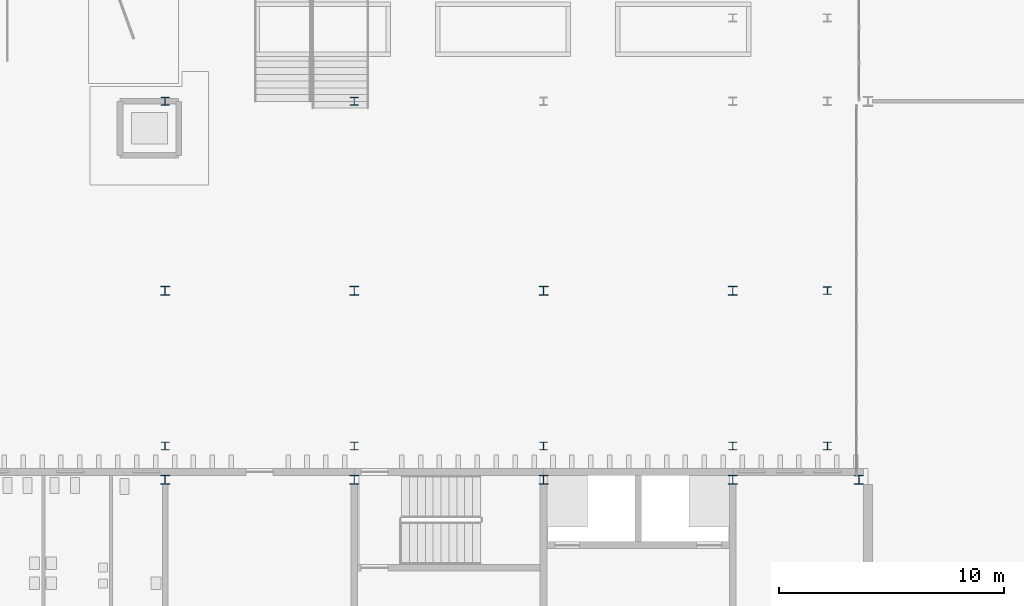
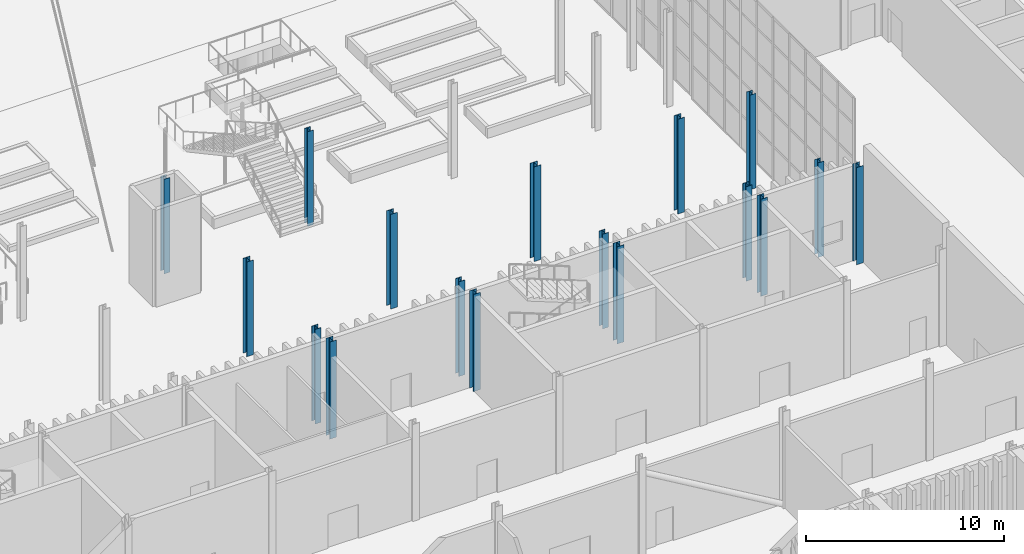
# One storey, part 29 of 108: 17 columns.
"""IFC4 building model written with IfcOpenShell, lengths in metres."""

from ifc_helpers import new_model, si_unit, direction, frame, origin, origin_2d, place, context, subcontext, project, spatial, i_section, extrude, material, material_profile, profile_set, type_object, element, save


model = new_model("IFC4")

# Units and contexts
model_context = context("Model", 3, precision=1e-05, world=origin(), true_north=direction((0.0, 1.0)))
body_context = subcontext(model_context, "Body", "Model", "MODEL_VIEW")
ifc_project = project(units=[si_unit("LENGTHUNIT", "METRE"), si_unit("AREAUNIT", "SQUARE_METRE"), si_unit("VOLUMEUNIT", "CUBIC_METRE"), si_unit("PLANEANGLEUNIT", "RADIAN"), si_unit("MASSUNIT", "GRAM", prefix="KILO")], contexts=[model_context])

# Site, building, storey
site_placement = place(None, origin())
site = spatial("IfcSite", under=ifc_project, at=site_placement, CompositionType="ELEMENT")
building_placement = place(site_placement, origin())
building = spatial("IfcBuilding", under=site, at=building_placement, Name="Cresset Court Congress Hotel", CompositionType="ELEMENT")
storey_placement = place(building_placement, origin())
storey = spatial("IfcBuildingStorey", under=building, at=storey_placement, Name="L00", CompositionType="ELEMENT", Elevation=0.0)

# Columns
ifc_material_1 = material(Name="Structural steel Q355B", Category="steel")
ifc_material_profile_1 = material_profile(ifc_material_1, i_section(OverallWidth=0.35009765625, OverallDepth=0.35009765625, WebThickness=0.011962890625, FlangeThickness=0.01904296875, FilletRadius=0.012939453125, at=origin_2d()), Name="HW350x350x12x19")
ifc_profile_set_1 = profile_set([ifc_material_profile_1], Name="Structural steel Q355B")
column_type_1 = type_object("IfcColumnType", Name="Steel column HW350x350x12x19", PredefinedType="COLUMN", material=ifc_profile_set_1)
for number, where, z_axis, x_axis, name in (
    (1, (126.0, 26.699951171875, 0.0), (0.0, 0.0, 1.0), (1.0, 0.0, 0.0), "Deck column R115"),
    (2, (134.39990234375, 26.699951171875, 0.0), (0.0, 0.0, 1.0), (1.0, 0.0, 0.0), "Deck column R116"),
    (3, (142.800048828125, 26.699951171875, 0.0), (0.0, 0.0, 1.0), (1.0, 0.0, 0.0), "Deck column R117"),
    (4, (151.199951171875, 26.699951171875, 0.0), (0.0, 0.0, 1.0), (1.0, 0.0, 0.0), "Deck column R118"),
    (5, (155.39990234375, 26.699951171875, 0.0), (0.0, 0.0, 1.0), (1.0, 0.0, 0.0), "Deck column R119"),
    (6, (155.39990234375, 33.60009765625, 0.0), (0.0, 0.0, 1.0), (1.0, 0.0, 0.0), "Deck column R219"),
    (7, (126.0, 42.0, 0.0), (0.0, 0.0, 1.0), (1.0, 0.0, 0.0), "Deck column R315"),
    (8, (134.39990234375, 42.0, 0.0), (0.0, 0.0, 1.0), (1.0, 0.0, 0.0), "Deck column R316"),
):
    element("IfcColumn", number, at=place(storey_placement, frame(where, z_axis=z_axis, x_axis=x_axis)), inside=storey, type_object=column_type_1, Name=name, PredefinedType="COLUMN", context=body_context, shape_type="SweptSolid", body=[
        extrude(i_section(OverallWidth=0.35009765625, OverallDepth=0.35009765625, WebThickness=0.011962890625, FlangeThickness=0.01904296875, FilletRadius=0.012939453125, at=origin_2d()), origin(), (0.0, 0.0, 1.0), 5.85009765625),
    ])
ifc_material_2 = material(Name="Structural steel Q355B", Category="steel")
ifc_material_profile_2 = material_profile(ifc_material_2, i_section(OverallWidth=0.39990234375, OverallDepth=0.39990234375, WebThickness=0.012939453125, FlangeThickness=0.02099609375, FilletRadius=0.02197265625, at=origin_2d()), Name="HW400x400x13x21")
ifc_profile_set_2 = profile_set([ifc_material_profile_2], Name="Structural steel Q355B")
column_type_2 = type_object("IfcColumnType", Name="Steel column HW400x400x13x21", PredefinedType="COLUMN", material=ifc_profile_set_2)
for number, where, z_axis, x_axis, name in (
    (9, (126.0, 33.60009765625, 0.0), (0.0, 0.0, 1.0), (1.0, 0.0, 0.0), "Deck column R215"),
    (10, (134.39990234375, 33.60009765625, 0.0), (0.0, 0.0, 1.0), (1.0, 0.0, 0.0), "Deck column R216"),
    (11, (142.800048828125, 33.60009765625, 0.0), (0.0, 0.0, 1.0), (1.0, 0.0, 0.0), "Deck column R217"),
    (12, (151.199951171875, 33.60009765625, 0.0), (0.0, 0.0, 1.0), (1.0, 0.0, 0.0), "Deck column R218"),
):
    element("IfcColumn", number, at=place(storey_placement, frame(where, z_axis=z_axis, x_axis=x_axis)), inside=storey, type_object=column_type_2, Name=name, PredefinedType="COLUMN", context=body_context, shape_type="SweptSolid", body=[
        extrude(i_section(OverallWidth=0.39990234375, OverallDepth=0.39990234375, WebThickness=0.012939453125, FlangeThickness=0.02099609375, FilletRadius=0.02197265625, at=origin_2d()), origin(), (0.0, 0.0, 1.0), 5.85009765625),
    ])
for number, where, z_axis, x_axis, name in (
    (13, (126.0, 25.199951171875, 0.0), (0.0, 0.0, 1.0), (1.0, 0.0, 0.0), "B.col.L00.16D"),
    (14, (134.39990234375, 25.199951171875, 0.0), (0.0, 0.0, 1.0), (1.0, 0.0, 0.0), "B.col.L00.17D"),
    (15, (142.800048828125, 25.199951171875, 0.0), (0.0, 0.0, 1.0), (1.0, 0.0, 0.0), "B.col.L00.18D"),
    (16, (151.199951171875, 25.199951171875, 0.0), (0.0, 0.0, 1.0), (1.0, 0.0, 0.0), "B.col.L00.19D"),
    (17, (156.800048828125, 25.199951171875, 0.0), (0.0, 0.0, 1.0), (1.0, 0.0, 0.0), "B.col.L00.20D"),
):
    element("IfcColumn", number, at=place(storey_placement, frame(where, z_axis=z_axis, x_axis=x_axis)), inside=storey, type_object=column_type_2, Name=name, PredefinedType="COLUMN", context=body_context, shape_type="SweptSolid", body=[
        extrude(i_section(OverallWidth=0.39990234375, OverallDepth=0.39990234375, WebThickness=0.012939453125, FlangeThickness=0.02099609375, FilletRadius=0.02197265625, at=origin_2d()), origin(), (0.0, 0.0, 1.0), 6.0),
    ])

save(model, "model.ifc")
